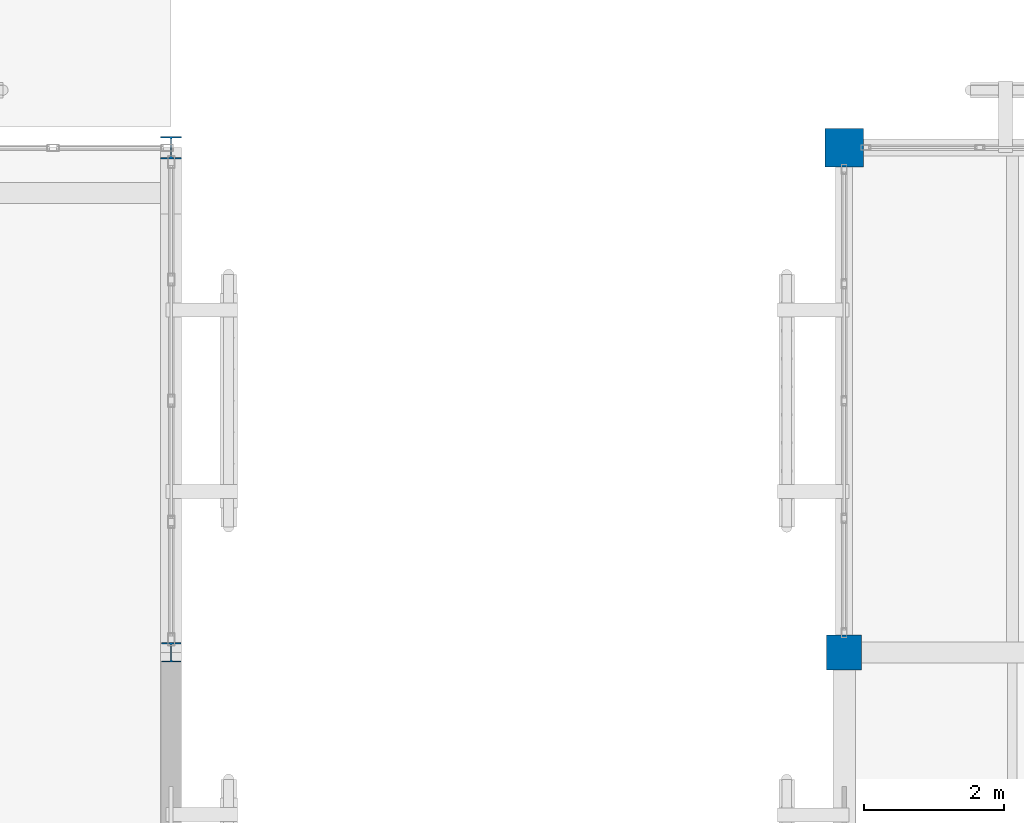
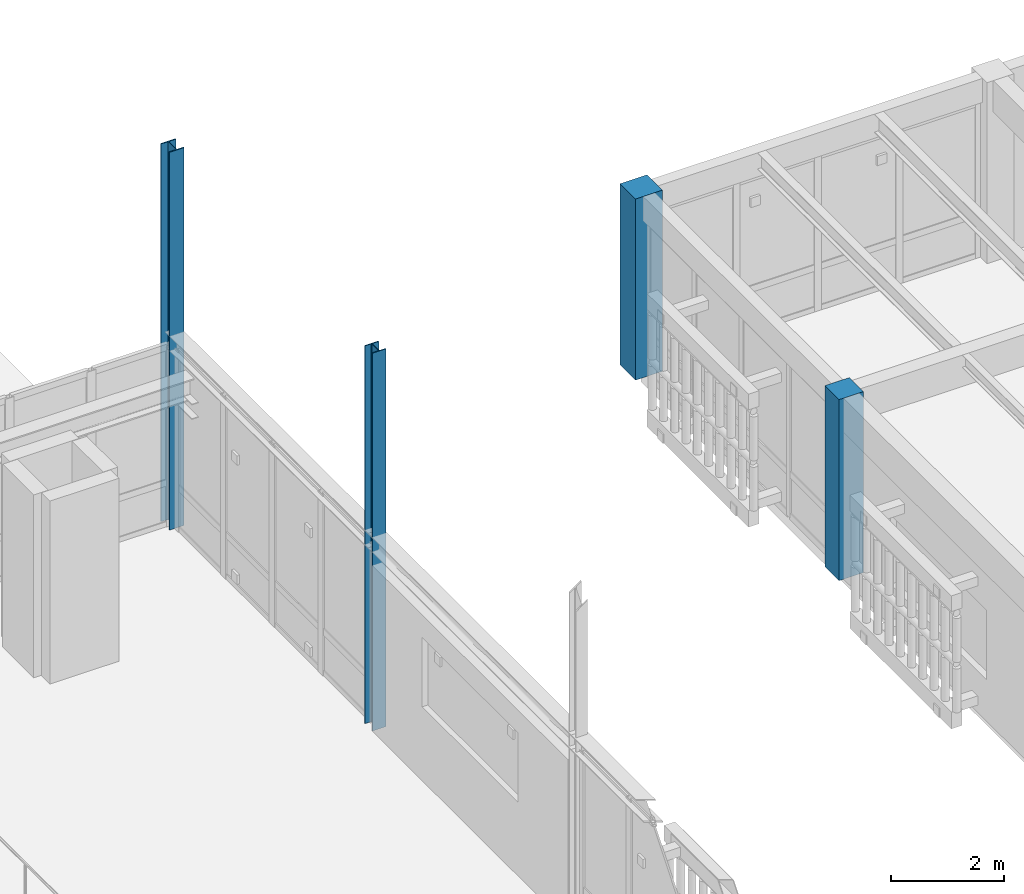
# One storey, part 16 of 170: 4 columns.
"""IFC4 building model written with IfcOpenShell, lengths in metres."""

from ifc_helpers import new_model, si_unit, direction, frame, origin, origin_2d, place, context, subcontext, project, spatial, rectangle, i_section, extrude, material, material_profile, profile_set, type_object, element, save


model = new_model("IFC4")

# Units and contexts
model_context = context("Model", 3, precision=1e-05, world=origin(), true_north=direction((0.0, 1.0)))
body_context = subcontext(model_context, "Body", "Model", "MODEL_VIEW")
ifc_project = project(units=[si_unit("LENGTHUNIT", "METRE"), si_unit("AREAUNIT", "SQUARE_METRE"), si_unit("VOLUMEUNIT", "CUBIC_METRE"), si_unit("PLANEANGLEUNIT", "RADIAN"), si_unit("MASSUNIT", "GRAM", prefix="KILO")], contexts=[model_context])

# Site, building, storey
site_placement = place(None, origin())
site = spatial("IfcSite", under=ifc_project, at=site_placement, CompositionType="ELEMENT")
building_placement = place(site_placement, origin())
building = spatial("IfcBuilding", under=site, at=building_placement, Name="Mazaris Harbour Polytechnic", CompositionType="ELEMENT")
storey_placement = place(building_placement, frame((0.0, 0.0, 5.39990234375)))
storey = spatial("IfcBuildingStorey", under=building, at=storey_placement, Name="L01", CompositionType="ELEMENT", Elevation=5.39990234375)

# Columns
ifc_material_1 = material(Name="Concrete C40/50", Category="concrete")
ifc_material_profile_1 = material_profile(ifc_material_1, rectangle(XDim=0.5, YDim=0.5, at=origin_2d()), Name="RECT500x500")
ifc_profile_set_1 = profile_set([ifc_material_profile_1], Name="Concrete C40/50")
column_type_1 = type_object("IfcColumnType", Name="RC Column 500x500 Exterior", PredefinedType="COLUMN", material=ifc_profile_set_1)
column_1_placement = place(storey_placement, frame((122.39990234375, 100.800048828125, 0.0), z_axis=(0.0, 0.0, 1.0), x_axis=(1.0, 0.0, 0.0)))
element("IfcColumn", 1, at=column_1_placement, inside=storey, type_object=column_type_1, Name="V5 L01 Column 1260", PredefinedType="COLUMN", context=body_context, shape_type="SweptSolid", body=[
    extrude(rectangle(XDim=0.5, YDim=0.5, at=origin_2d()), origin(), (0.0, 0.0, 1.0), 3.920166015625),
])
ifc_material_2 = material(Name="Concrete C40/50", Category="concrete")
ifc_material_profile_2 = material_profile(ifc_material_2, rectangle(XDim=0.550048828125, YDim=0.550048828125, at=origin_2d()), Name="RECT550x550")
ifc_profile_set_2 = profile_set([ifc_material_profile_2], Name="Concrete C40/50")
column_type_2 = type_object("IfcColumnType", Name="RC Column 550x550 Exterior", PredefinedType="COLUMN", material=ifc_profile_set_2)
column_2_placement = place(storey_placement, frame((122.39990234375, 108.0, 0.0), z_axis=(0.0, 0.0, 1.0), x_axis=(1.0, 0.0, 0.0)))
element("IfcColumn", 2, at=column_2_placement, inside=storey, type_object=column_type_2, Name="V5 L01 Column 1261", PredefinedType="COLUMN", context=body_context, shape_type="SweptSolid", body=[
    extrude(rectangle(XDim=0.550048828125, YDim=0.550048828125, at=origin_2d()), origin(), (0.0, 0.0, 1.0), 3.920166015625),
])
ifc_material_3 = material(Name="Steel S355", Category="steel")
ifc_material_profile_3 = material_profile(ifc_material_3, i_section(OverallWidth=0.280029296875, OverallDepth=0.280029296875, WebThickness=0.010498046875, FlangeThickness=0.01806640625, FilletRadius=0.02392578125, at=origin_2d()), Name="HEB 280")
ifc_profile_set_3 = profile_set([ifc_material_profile_3], Name="Steel S355")
column_type_3 = type_object("IfcColumnType", Name="Steel Column HEB280 Exterior", PredefinedType="COLUMN", material=ifc_profile_set_3)
column_3_placement = place(storey_placement, frame((112.800048828125, 100.800048828125, 0.0), z_axis=(0.0, 0.0, 1.0), x_axis=(1.0, 0.0, 0.0)))
element("IfcColumn", 3, at=column_3_placement, inside=storey, type_object=column_type_3, Name="V1 L01 Column 151", PredefinedType="COLUMN", context=body_context, shape_type="SweptSolid", body=[
    extrude(i_section(OverallWidth=0.280029296875, OverallDepth=0.280029296875, WebThickness=0.010498046875, FlangeThickness=0.01806640625, FilletRadius=0.02392578125, at=origin_2d()), origin(), (0.0, 0.0, 1.0), 8.18017578125),
])
ifc_material_4 = material(Name="Steel S355", Category="steel")
ifc_material_profile_4 = material_profile(ifc_material_4, i_section(OverallWidth=0.300048828125, OverallDepth=0.320068359375, WebThickness=0.011474609375, FlangeThickness=0.0205078125, FilletRadius=0.027099609375, at=origin_2d()), Name="HEB 320")
ifc_profile_set_4 = profile_set([ifc_material_profile_4], Name="Steel S355")
column_type_4 = type_object("IfcColumnType", Name="Steel Column HEB320", PredefinedType="COLUMN", material=ifc_profile_set_4)
column_4_placement = place(storey_placement, frame((112.800048828125, 108.0, 0.0), z_axis=(0.0, 0.0, 1.0), x_axis=(1.0, 0.0, 0.0)))
element("IfcColumn", 4, at=column_4_placement, inside=storey, type_object=column_type_4, Name="V1 L01 Column 152", PredefinedType="COLUMN", context=body_context, shape_type="SweptSolid", body=[
    extrude(i_section(OverallWidth=0.300048828125, OverallDepth=0.320068359375, WebThickness=0.011474609375, FlangeThickness=0.0205078125, FilletRadius=0.027099609375, at=origin_2d()), origin(), (0.0, 0.0, 1.0), 8.18017578125),
])

save(model, "model.ifc")
